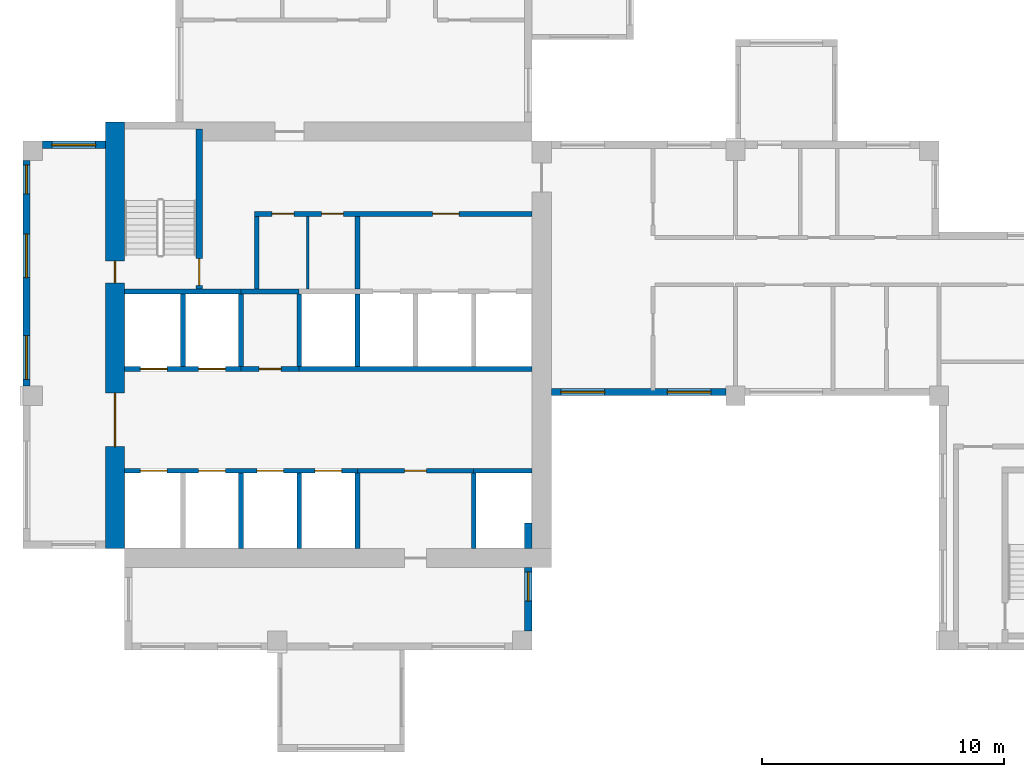
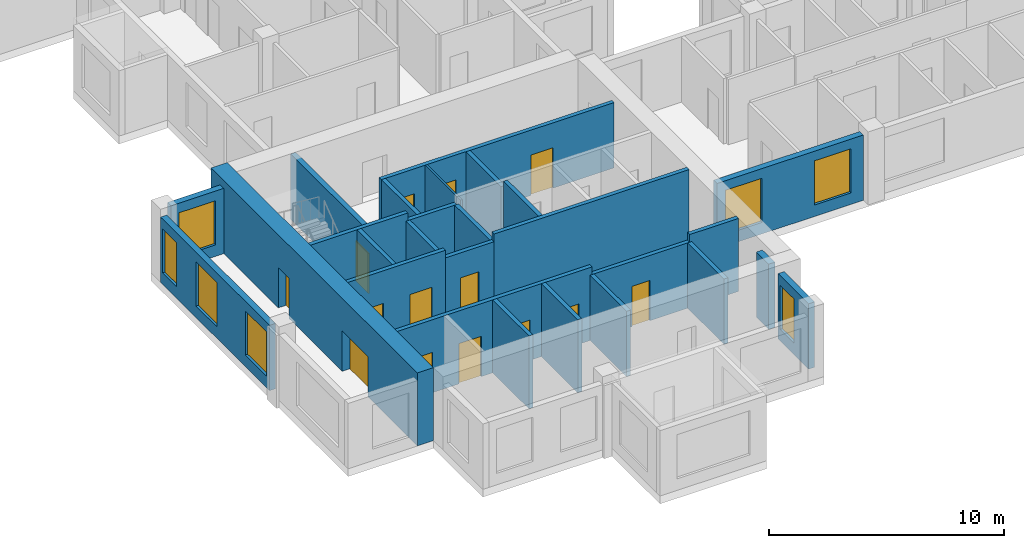
# One storey, part 2 of 11: 27 walls, 14 doors, 7 windows, 21 openings.
"""IFC4 building model written with IfcOpenShell, lengths in metres."""

from ifc_helpers import new_model, si_unit, direction, frame, frame_2d, origin, place, context, subcontext, project, spatial, rectangle, extrude, source, transform, mapped, material, layer, layer_set, type_object, element, fill, save


model = new_model("IFC4")

# Units and contexts
model_context = context("Model", 3, precision=1e-05, world=origin(), true_north=direction((0.0, 1.0)))
body_context = subcontext(model_context, "Body", "Model", "MODEL_VIEW")
ifc_project = project(units=[si_unit("LENGTHUNIT", "METRE"), si_unit("AREAUNIT", "SQUARE_METRE"), si_unit("VOLUMEUNIT", "CUBIC_METRE"), si_unit("PLANEANGLEUNIT", "RADIAN"), si_unit("MASSUNIT", "GRAM", prefix="KILO")], contexts=[model_context])

# Site, building, storey
site_placement = place(None, origin())
site = spatial("IfcSite", under=ifc_project, at=site_placement, CompositionType="ELEMENT")
building_placement = place(site_placement, origin())
building = spatial("IfcBuilding", under=site, at=building_placement, Name="Aurelian Terraces", CompositionType="ELEMENT")
storey_placement = place(building_placement, frame((0.0, 0.0, 257.6)))
storey = spatial("IfcBuildingStorey", under=building, at=storey_placement, Name="L59", CompositionType="ELEMENT", Elevation=257.6)

# Wall, openings, doors
ifc_material_1 = material(Name="Concrete fc' 70 MPa", Category="concrete")
ifc_layer_1 = layer(ifc_material_1, 0.8)
ifc_layer_set_1 = layer_set([ifc_layer_1], Name="CORE WALL 800 FC70")
wall_type_1 = type_object("IfcWallType", Name="CORE WALL 800 FC70", PredefinedType="SHEAR", material=ifc_layer_set_1)
shared_shape_1 = source(origin(), body_context, "Body", "SweptSolid", [
    extrude(rectangle(XDim=17.6, YDim=0.8, at=frame_2d((8.8, 0.0))), origin(), (0.0, 0.0, 1.0), 3.8),
])
wall_1_placement = place(storey_placement, frame((3.8, 4.2, 0.0), z_axis=(0.0, 0.0, 1.0), x_axis=(0.0, 1.0, 0.0)))
wall_1 = element("IfcWall", 1, at=wall_1_placement, inside=storey, type_object=wall_type_1, Name="Core wall W L59", PredefinedType="SHEAR", context=body_context, shape_type="MappedRepresentation", body=[
    mapped(shared_shape_1, transform((0.0, 0.0, 0.0), scale=1.0)),
])
shared_shape_2 = source(origin(), body_context, "Body", "SweptSolid", [
    extrude(rectangle(XDim=2.2, YDim=2.1, at=frame_2d((1.1, 1.05))), frame((0.0, 0.41, 0.0), z_axis=(0.0, -1.0, 0.0), x_axis=(1.0, 0.0, 0.0)), (0.0, 0.0, 1.0), 0.82),
])
opening_1_placement = place(wall_1_placement, frame((4.2, 0.0, 0.0)))
opening_1 = element("IfcOpeningElement", 2, at=opening_1_placement, cuts=wall_1, Name="Opening 66221", PredefinedType="OPENING", context=body_context, shape_type="MappedRepresentation", body=[
    mapped(shared_shape_2, transform((0.0, 0.0, 0.0), scale=1.0)),
])
shared_shape_3 = source(origin(), body_context, "Body", "SweptSolid", [
    extrude(rectangle(XDim=0.9, YDim=2.1, at=frame_2d((0.45, 1.05))), frame((0.0, 0.41, 0.0), z_axis=(0.0, -1.0, 0.0), x_axis=(1.0, 0.0, 0.0)), (0.0, 0.0, 1.0), 0.82),
])
opening_2_placement = place(wall_1_placement, frame((10.95, 0.0, 0.0)))
opening_2 = element("IfcOpeningElement", 3, at=opening_2_placement, cuts=wall_1, Name="Opening 66225", PredefinedType="OPENING", context=body_context, shape_type="MappedRepresentation", body=[
    mapped(shared_shape_3, transform((0.0, 0.0, 0.0), scale=1.0)),
])
ifc_material_2 = material(Name="Steel door leaf", Category="steel")
door_type_1 = type_object("IfcDoorType", Name="Core service door 900x2100", OperationType="SINGLE_SWING_LEFT", PredefinedType="DOOR", material=ifc_material_2)
shared_shape_4 = source(origin(), body_context, "Body", "SweptSolid", [
    extrude(rectangle(XDim=0.9, YDim=2.1, at=frame_2d((0.45, 1.05))), frame((0.0, 0.025, 0.0), z_axis=(0.0, -1.0, 0.0), x_axis=(1.0, 0.0, 0.0)), (0.0, 0.0, 1.0), 0.05),
])
door_1_placement = place(opening_2_placement, origin())
door_1 = element("IfcDoor", 4, at=door_1_placement, inside=storey, type_object=door_type_1, Name="Core door 66225", OperationType="SINGLE_SWING_LEFT", OverallHeight=2.1, OverallWidth=0.9, PredefinedType="DOOR", context=body_context, shape_type="MappedRepresentation", body=[
    mapped(shared_shape_4, transform((0.0, 0.0, 0.0), scale=1.0)),
])
fill(opening_2, door_1)
door_type_2 = type_object("IfcDoorType", Name="Core double door 2200x2100", OperationType="DOUBLE_DOOR_SINGLE_SWING", PredefinedType="DOOR", material=ifc_material_2)
shared_shape_5 = source(origin(), body_context, "Body", "SweptSolid", [
    extrude(rectangle(XDim=2.2, YDim=2.1, at=frame_2d((1.1, 1.05))), frame((0.0, 0.025, 0.0), z_axis=(0.0, -1.0, 0.0), x_axis=(1.0, 0.0, 0.0)), (0.0, 0.0, 1.0), 0.05),
])
door_2_placement = place(opening_1_placement, origin())
door_2 = element("IfcDoor", 5, at=door_2_placement, inside=storey, type_object=door_type_2, Name="Core door 66221", OperationType="DOUBLE_DOOR_SINGLE_SWING", OverallHeight=2.1, OverallWidth=2.2, PredefinedType="DOOR", context=body_context, shape_type="MappedRepresentation", body=[
    mapped(shared_shape_5, transform((0.0, 0.0, 0.0), scale=1.0)),
])
fill(opening_1, door_2)

# Wall
ifc_material_3 = material(Name="Terracotta rainscreen cladding", Category="masonry")
ifc_layer_2 = layer(ifc_material_3, 0.3)
ifc_layer_set_2 = layer_set([ifc_layer_2], Name="EW-300")
wall_type_2 = type_object("IfcWallType", Name="EW-300", PredefinedType="STANDARD", material=ifc_layer_set_2)
shared_shape_6 = source(origin(), body_context, "Body", "SweptSolid", [
    extrude(rectangle(XDim=1.05, YDim=0.3, at=frame_2d((0.525, 0.0))), origin(), (0.0, 0.0, 1.0), 3.4),
])
wall_2_placement = place(storey_placement, frame((20.85, 4.2, 0.0), z_axis=(0.0, 0.0, 1.0), x_axis=(0.0, 1.0, 0.0)))
element("IfcWall", 6, at=wall_2_placement, inside=storey, type_object=wall_type_2, Name="External wall L59 F02.3", PredefinedType="STANDARD", context=body_context, shape_type="MappedRepresentation", body=[
    mapped(shared_shape_6, transform((0.0, 0.0, 0.0), scale=1.0)),
])

# Wall, openings, windows
shared_shape_7 = source(origin(), body_context, "Body", "SweptSolid", [
    extrude(rectangle(XDim=7.2, YDim=0.3, at=frame_2d((3.6, 0.0))), origin(), (0.0, 0.0, 1.0), 3.4),
])
wall_3_placement = place(storey_placement, frame((21.8, 10.65, 0.0), z_axis=(0.0, 0.0, 1.0), x_axis=(1.0, 0.0, 0.0)))
wall_3 = element("IfcWall", 7, at=wall_3_placement, inside=storey, type_object=wall_type_2, Name="External wall L59 F03.5", PredefinedType="STANDARD", context=body_context, shape_type="MappedRepresentation", body=[
    mapped(shared_shape_7, transform((0.0, 0.0, 0.0), scale=1.0)),
])
shared_shape_8 = source(origin(), body_context, "Body", "SweptSolid", [
    extrude(rectangle(XDim=1.8, YDim=2.3, at=frame_2d((0.9, 1.15))), frame((0.0, 0.16, 0.0), z_axis=(0.0, -1.0, 0.0), x_axis=(1.0, 0.0, 0.0)), (0.0, 0.0, 1.0), 0.32),
])
opening_3_placement = place(wall_3_placement, frame((0.4, 0.0, 0.6)))
opening_3 = element("IfcOpeningElement", 8, at=opening_3_placement, cuts=wall_3, Name="Opening W1823", PredefinedType="OPENING", context=body_context, shape_type="MappedRepresentation", body=[
    mapped(shared_shape_8, transform((0.0, 0.0, 0.0), scale=1.0)),
])
opening_4_placement = place(wall_3_placement, frame((4.7875, 0.0, 0.6)))
opening_4 = element("IfcOpeningElement", 9, at=opening_4_placement, cuts=wall_3, Name="Opening W1823", PredefinedType="OPENING", context=body_context, shape_type="MappedRepresentation", body=[
    mapped(shared_shape_8, transform((0.0, 0.0, 0.0), scale=1.0)),
])
ifc_material_4 = material(Name="Clear glazing", Category="glass")
window_type_1 = type_object("IfcWindowType", Name="W-1800x2300", PartitioningType="SINGLE_PANEL", PredefinedType="WINDOW", material=ifc_material_4)
shared_shape_9 = source(origin(), body_context, "Body", "SweptSolid", [
    extrude(rectangle(XDim=1.8, YDim=2.3, at=frame_2d((0.9, 1.15))), frame((0.0, 0.03, 0.0), z_axis=(0.0, -1.0, 0.0), x_axis=(1.0, 0.0, 0.0)), (0.0, 0.0, 1.0), 0.06),
])
window_1_placement = place(opening_3_placement, origin())
window_1 = element("IfcWindow", 10, at=window_1_placement, inside=storey, type_object=window_type_1, Name="Window L59 L59-F03-05-0", OverallHeight=2.3, OverallWidth=1.8, PartitioningType="SINGLE_PANEL", PredefinedType="WINDOW", context=body_context, shape_type="MappedRepresentation", body=[
    mapped(shared_shape_9, transform((0.0, 0.0, 0.0), scale=1.0)),
])
fill(opening_3, window_1)
window_2_placement = place(opening_4_placement, origin())
window_2 = element("IfcWindow", 11, at=window_2_placement, inside=storey, type_object=window_type_1, Name="Window L59 L59-F03-05-1", OverallHeight=2.3, OverallWidth=1.8, PartitioningType="SINGLE_PANEL", PredefinedType="WINDOW", context=body_context, shape_type="MappedRepresentation", body=[
    mapped(shared_shape_9, transform((0.0, 0.0, 0.0), scale=1.0)),
])
fill(opening_4, window_2)

# Wall, opening, window
shared_shape_10 = source(origin(), body_context, "Body", "SweptSolid", [
    extrude(rectangle(XDim=2.6, YDim=0.3, at=frame_2d((1.3, 0.0))), origin(), (0.0, 0.0, 1.0), 3.4),
])
wall_4_placement = place(storey_placement, frame((20.85, 0.8, 0.0), z_axis=(0.0, 0.0, 1.0), x_axis=(0.0, 1.0, 0.0)))
wall_4 = element("IfcWall", 12, at=wall_4_placement, inside=storey, type_object=wall_type_2, Name="External wall L59 F02.3", PredefinedType="STANDARD", context=body_context, shape_type="MappedRepresentation", body=[
    mapped(shared_shape_10, transform((0.0, 0.0, 0.0), scale=1.0)),
])
shared_shape_11 = source(origin(), body_context, "Body", "SweptSolid", [
    extrude(rectangle(XDim=1.2, YDim=2.3, at=frame_2d((0.6, 1.15))), frame((0.0, 0.16, 0.0), z_axis=(0.0, -1.0, 0.0), x_axis=(1.0, 0.0, 0.0)), (0.0, 0.0, 1.0), 0.32),
])
opening_5_placement = place(wall_4_placement, frame((1.225, 0.0, 0.6)))
opening_5 = element("IfcOpeningElement", 13, at=opening_5_placement, cuts=wall_4, Name="Opening W1223", PredefinedType="OPENING", context=body_context, shape_type="MappedRepresentation", body=[
    mapped(shared_shape_11, transform((0.0, 0.0, 0.0), scale=1.0)),
])
window_type_2 = type_object("IfcWindowType", Name="W-1200x2300", PartitioningType="SINGLE_PANEL", PredefinedType="WINDOW", material=ifc_material_4)
shared_shape_12 = source(origin(), body_context, "Body", "SweptSolid", [
    extrude(rectangle(XDim=1.2, YDim=2.3, at=frame_2d((0.6, 1.15))), frame((0.0, 0.03, 0.0), z_axis=(0.0, -1.0, 0.0), x_axis=(1.0, 0.0, 0.0)), (0.0, 0.0, 1.0), 0.06),
])
window_3_placement = place(opening_5_placement, origin())
window_3 = element("IfcWindow", 14, at=window_3_placement, inside=storey, type_object=window_type_2, Name="Window L59 L59-F02-03-0", OverallHeight=2.3, OverallWidth=1.2, PartitioningType="SINGLE_PANEL", PredefinedType="WINDOW", context=body_context, shape_type="MappedRepresentation", body=[
    mapped(shared_shape_12, transform((0.0, 0.0, 0.0), scale=1.0)),
])
fill(opening_5, window_3)

wall_5_placement = place(storey_placement, frame((3.4, 20.85, 0.0), z_axis=(0.0, 0.0, 1.0), x_axis=(-1.0, 0.0, 0.0)))
wall_5 = element("IfcWall", 15, at=wall_5_placement, inside=storey, type_object=wall_type_2, Name="External wall L59 F23.35", PredefinedType="STANDARD", context=body_context, shape_type="MappedRepresentation", body=[
    mapped(shared_shape_10, transform((0.0, 0.0, 0.0), scale=1.0)),
])
opening_6_placement = place(wall_5_placement, frame((0.4, 0.0, 0.6)))
opening_6 = element("IfcOpeningElement", 16, at=opening_6_placement, cuts=wall_5, Name="Opening W1823", PredefinedType="OPENING", context=body_context, shape_type="MappedRepresentation", body=[
    mapped(shared_shape_8, transform((0.0, 0.0, 0.0), scale=1.0)),
])
window_4_placement = place(opening_6_placement, origin())
window_4 = element("IfcWindow", 17, at=window_4_placement, inside=storey, type_object=window_type_1, Name="Window L59 L59-F23-35-0", OverallHeight=2.3, OverallWidth=1.8, PartitioningType="SINGLE_PANEL", PredefinedType="WINDOW", context=body_context, shape_type="MappedRepresentation", body=[
    mapped(shared_shape_9, transform((0.0, 0.0, 0.0), scale=1.0)),
])
fill(opening_6, window_4)

# Wall, openings, windows
shared_shape_13 = source(origin(), body_context, "Body", "SweptSolid", [
    extrude(rectangle(XDim=9.3, YDim=0.3, at=frame_2d((4.65, 0.0))), origin(), (0.0, 0.0, 1.0), 3.4),
])
wall_6_placement = place(storey_placement, frame((0.15, 20.2, 0.0), z_axis=(0.0, 0.0, 1.0), x_axis=(0.0, -1.0, 0.0)))
wall_6 = element("IfcWall", 18, at=wall_6_placement, inside=storey, type_object=wall_type_2, Name="External wall L59 F24.36", PredefinedType="STANDARD", context=body_context, shape_type="MappedRepresentation", body=[
    mapped(shared_shape_13, transform((0.0, 0.0, 0.0), scale=1.0)),
])
opening_7_placement = place(wall_6_placement, frame((0.175, 0.0, 0.6)))
opening_7 = element("IfcOpeningElement", 19, at=opening_7_placement, cuts=wall_6, Name="Opening W1223", PredefinedType="OPENING", context=body_context, shape_type="MappedRepresentation", body=[
    mapped(shared_shape_11, transform((0.0, 0.0, 0.0), scale=1.0)),
])
opening_8_placement = place(wall_6_placement, frame((3.025, 0.0, 0.6)))
opening_8 = element("IfcOpeningElement", 20, at=opening_8_placement, cuts=wall_6, Name="Opening W1823", PredefinedType="OPENING", context=body_context, shape_type="MappedRepresentation", body=[
    mapped(shared_shape_8, transform((0.0, 0.0, 0.0), scale=1.0)),
])
opening_9_placement = place(wall_6_placement, frame((7.225, 0.0, 0.6)))
opening_9 = element("IfcOpeningElement", 21, at=opening_9_placement, cuts=wall_6, Name="Opening W1823", PredefinedType="OPENING", context=body_context, shape_type="MappedRepresentation", body=[
    mapped(shared_shape_8, transform((0.0, 0.0, 0.0), scale=1.0)),
])
window_5_placement = place(opening_7_placement, origin())
window_5 = element("IfcWindow", 22, at=window_5_placement, inside=storey, type_object=window_type_2, Name="Window L59 L59-F24-36-0", OverallHeight=2.3, OverallWidth=1.2, PartitioningType="SINGLE_PANEL", PredefinedType="WINDOW", context=body_context, shape_type="MappedRepresentation", body=[
    mapped(shared_shape_12, transform((0.0, 0.0, 0.0), scale=1.0)),
])
fill(opening_7, window_5)
window_6_placement = place(opening_8_placement, origin())
window_6 = element("IfcWindow", 23, at=window_6_placement, inside=storey, type_object=window_type_1, Name="Window L59 L59-F24-36-1", OverallHeight=2.3, OverallWidth=1.8, PartitioningType="SINGLE_PANEL", PredefinedType="WINDOW", context=body_context, shape_type="MappedRepresentation", body=[
    mapped(shared_shape_9, transform((0.0, 0.0, 0.0), scale=1.0)),
])
fill(opening_8, window_6)
window_7_placement = place(opening_9_placement, origin())
window_7 = element("IfcWindow", 24, at=window_7_placement, inside=storey, type_object=window_type_1, Name="Window L59 L59-F24-36-2", OverallHeight=2.3, OverallWidth=1.8, PartitioningType="SINGLE_PANEL", PredefinedType="WINDOW", context=body_context, shape_type="MappedRepresentation", body=[
    mapped(shared_shape_9, transform((0.0, 0.0, 0.0), scale=1.0)),
])
fill(opening_9, window_7)

# Walls
ifc_material_5 = material(Name="Concrete fc' 40 MPa", Category="concrete")
ifc_layer_3 = layer(ifc_material_5, 0.2)
ifc_layer_set_3 = layer_set([ifc_layer_3], Name="Lift shaft wall 200")
wall_type_3 = type_object("IfcWallType", Name="Lift shaft wall 200", PredefinedType="SOLIDWALL", material=ifc_layer_set_3)
shared_shape_14 = source(origin(), body_context, "Body", "SweptSolid", [
    extrude(rectangle(XDim=3.1, YDim=0.2, at=frame_2d((1.55, 0.0))), origin(), (0.0, 0.0, 1.0), 3.8),
])
for number, where, z_axis, x_axis, name in (
    (25, (9.0, 4.2, 0.0), (0.0, 0.0, 1.0), (0.0, 1.0, 0.0), "L59 core wall CD-A2"),
    (26, (11.4, 4.2, 0.0), (0.0, 0.0, 1.0), (0.0, 1.0, 0.0), "L59 core wall CD-A3"),
):
    element("IfcWall", number, at=place(storey_placement, frame(where, z_axis=z_axis, x_axis=x_axis)), inside=storey, type_object=wall_type_3, Name=name, PredefinedType="SOLIDWALL", context=body_context, shape_type="MappedRepresentation", body=[
        mapped(shared_shape_14, transform((0.0, 0.0, 0.0), scale=1.0)),
    ])
shared_shape_15 = source(origin(), body_context, "Body", "SweptSolid", [
    extrude(rectangle(XDim=3.1, YDim=0.2, at=frame_2d((1.55, 0.0))), origin(), (0.0, 0.0, 1.0), 3.4),
])
for number, where, z_axis, x_axis, name in (
    (27, (13.8, 4.2, 0.0), (0.0, 0.0, 1.0), (0.0, 1.0, 0.0), "L59 core wall CD-A4"),
    (28, (18.6, 4.2, 0.0), (0.0, 0.0, 1.0), (0.0, 1.0, 0.0), "L59 core wall CD-A6"),
):
    element("IfcWall", number, at=place(storey_placement, frame(where, z_axis=z_axis, x_axis=x_axis)), inside=storey, type_object=wall_type_3, Name=name, PredefinedType="SOLIDWALL", context=body_context, shape_type="MappedRepresentation", body=[
        mapped(shared_shape_15, transform((0.0, 0.0, 0.0), scale=1.0)),
    ])
shared_shape_16 = source(origin(), body_context, "Body", "SweptSolid", [
    extrude(rectangle(XDim=3.0, YDim=0.2, at=frame_2d((1.5, 0.0))), origin(), (0.0, 0.0, 1.0), 3.4),
])
for number, where, z_axis, x_axis, name in (
    (29, (9.0, 11.7, 0.0), (0.0, 0.0, 1.0), (0.0, 1.0, 0.0), "L59 core wall CD-B2"),
    (30, (11.4, 11.7, 0.0), (0.0, 0.0, 1.0), (0.0, 1.0, 0.0), "L59 core wall CD-B3"),
):
    element("IfcWall", number, at=place(storey_placement, frame(where, z_axis=z_axis, x_axis=x_axis)), inside=storey, type_object=wall_type_3, Name=name, PredefinedType="SOLIDWALL", context=body_context, shape_type="MappedRepresentation", body=[
        mapped(shared_shape_16, transform((0.0, 0.0, 0.0), scale=1.0)),
    ])
shared_shape_17 = source(origin(), body_context, "Body", "SweptSolid", [
    extrude(rectangle(XDim=3.0, YDim=0.2, at=frame_2d((1.5, 0.0))), origin(), (0.0, 0.0, 1.0), 3.8),
])
for number, where, z_axis, x_axis, name in (
    (31, (6.6, 11.7, 0.0), (0.0, 0.0, 1.0), (0.0, 1.0, 0.0), "L59 core wall CD-B1"),
    (32, (13.8, 11.7, 0.0), (0.0, 0.0, 1.0), (0.0, 1.0, 0.0), "L59 core wall CD-B4"),
):
    element("IfcWall", number, at=place(storey_placement, frame(where, z_axis=z_axis, x_axis=x_axis)), inside=storey, type_object=wall_type_3, Name=name, PredefinedType="SOLIDWALL", context=body_context, shape_type="MappedRepresentation", body=[
        mapped(shared_shape_17, transform((0.0, 0.0, 0.0), scale=1.0)),
    ])

# Wall, openings, doors
shared_shape_18 = source(origin(), body_context, "Body", "SweptSolid", [
    extrude(rectangle(XDim=9.6, YDim=0.2, at=frame_2d((4.8, 0.0))), origin(), (0.0, 0.0, 1.0), 3.8),
])
wall_7_placement = place(storey_placement, frame((4.2, 7.4, 0.0), z_axis=(0.0, 0.0, 1.0), x_axis=(1.0, 0.0, 0.0)))
wall_7 = element("IfcWall", 33, at=wall_7_placement, inside=storey, type_object=wall_type_3, Name="L59 core wall CF-AF1", PredefinedType="SOLIDWALL", context=body_context, shape_type="MappedRepresentation", body=[
    mapped(shared_shape_18, transform((0.0, 0.0, 0.0), scale=1.0)),
])
shared_shape_19 = source(origin(), body_context, "Body", "SweptSolid", [
    extrude(rectangle(XDim=1.1, YDim=2.1, at=frame_2d((0.55, 1.05))), frame((0.0, 0.11, 0.0), z_axis=(0.0, -1.0, 0.0), x_axis=(1.0, 0.0, 0.0)), (0.0, 0.0, 1.0), 0.22),
])
opening_10_placement = place(wall_7_placement, frame((0.65, 0.0, 0.0)))
opening_10 = element("IfcOpeningElement", 34, at=opening_10_placement, cuts=wall_7, Name="Opening 66200", PredefinedType="OPENING", context=body_context, shape_type="MappedRepresentation", body=[
    mapped(shared_shape_19, transform((0.0, 0.0, 0.0), scale=1.0)),
])
opening_11_placement = place(wall_7_placement, frame((3.05, 0.0, 0.0)))
opening_11 = element("IfcOpeningElement", 35, at=opening_11_placement, cuts=wall_7, Name="Opening 66201", PredefinedType="OPENING", context=body_context, shape_type="MappedRepresentation", body=[
    mapped(shared_shape_19, transform((0.0, 0.0, 0.0), scale=1.0)),
])
opening_12_placement = place(wall_7_placement, frame((5.45, 0.0, 0.0)))
opening_12 = element("IfcOpeningElement", 36, at=opening_12_placement, cuts=wall_7, Name="Opening 66202", PredefinedType="OPENING", context=body_context, shape_type="MappedRepresentation", body=[
    mapped(shared_shape_19, transform((0.0, 0.0, 0.0), scale=1.0)),
])
opening_13_placement = place(wall_7_placement, frame((7.85, 0.0, 0.0)))
opening_13 = element("IfcOpeningElement", 37, at=opening_13_placement, cuts=wall_7, Name="Opening 66203", PredefinedType="OPENING", context=body_context, shape_type="MappedRepresentation", body=[
    mapped(shared_shape_19, transform((0.0, 0.0, 0.0), scale=1.0)),
])
ifc_material_6 = material(Name="Stainless steel", Category="steel")
door_type_3 = type_object("IfcDoorType", Name="Lift landing door 1100x2100", OperationType="SLIDING_TO_LEFT", PredefinedType="DOOR", material=ifc_material_6)
shared_shape_20 = source(origin(), body_context, "Body", "SweptSolid", [
    extrude(rectangle(XDim=1.1, YDim=2.1, at=frame_2d((0.55, 1.05))), frame((0.0, 0.025, 0.0), z_axis=(0.0, -1.0, 0.0), x_axis=(1.0, 0.0, 0.0)), (0.0, 0.0, 1.0), 0.05),
])
door_3_placement = place(opening_10_placement, origin())
door_3 = element("IfcDoor", 38, at=door_3_placement, inside=storey, type_object=door_type_3, Name="Lift landing door LM1 L59", OperationType="SLIDING_TO_LEFT", OverallHeight=2.1, OverallWidth=1.1, PredefinedType="DOOR", context=body_context, shape_type="MappedRepresentation", body=[
    mapped(shared_shape_20, transform((0.0, 0.0, 0.0), scale=1.0)),
])
fill(opening_10, door_3)
door_4_placement = place(opening_11_placement, origin())
door_4 = element("IfcDoor", 39, at=door_4_placement, inside=storey, type_object=door_type_3, Name="Lift landing door LM2 L59", OperationType="SLIDING_TO_LEFT", OverallHeight=2.1, OverallWidth=1.1, PredefinedType="DOOR", context=body_context, shape_type="MappedRepresentation", body=[
    mapped(shared_shape_20, transform((0.0, 0.0, 0.0), scale=1.0)),
])
fill(opening_11, door_4)
door_5_placement = place(opening_12_placement, origin())
door_5 = element("IfcDoor", 40, at=door_5_placement, inside=storey, type_object=door_type_3, Name="Lift landing door LM3 L59", OperationType="SLIDING_TO_LEFT", OverallHeight=2.1, OverallWidth=1.1, PredefinedType="DOOR", context=body_context, shape_type="MappedRepresentation", body=[
    mapped(shared_shape_20, transform((0.0, 0.0, 0.0), scale=1.0)),
])
fill(opening_12, door_5)
door_6_placement = place(opening_13_placement, origin())
door_6 = element("IfcDoor", 41, at=door_6_placement, inside=storey, type_object=door_type_3, Name="Lift landing door LM4 L59", OperationType="SLIDING_TO_LEFT", OverallHeight=2.1, OverallWidth=1.1, PredefinedType="DOOR", context=body_context, shape_type="MappedRepresentation", body=[
    mapped(shared_shape_20, transform((0.0, 0.0, 0.0), scale=1.0)),
])
fill(opening_13, door_6)

# Wall
wall_8_placement = place(storey_placement, frame((11.4, 11.6, 0.0), z_axis=(0.0, 0.0, 1.0), x_axis=(1.0, 0.0, 0.0)))
element("IfcWall", 42, at=wall_8_placement, inside=storey, type_object=wall_type_3, Name="L59 core wall CF-BF3", PredefinedType="SOLIDWALL", context=body_context, shape_type="MappedRepresentation", body=[
    mapped(shared_shape_18, transform((0.0, 0.0, 0.0), scale=1.0)),
])

# Wall, openings, doors
shared_shape_21 = source(origin(), body_context, "Body", "SweptSolid", [
    extrude(rectangle(XDim=4.8, YDim=0.2, at=frame_2d((2.4, 0.0))), origin(), (0.0, 0.0, 1.0), 3.8),
])
wall_9_placement = place(storey_placement, frame((4.2, 11.6, 0.0), z_axis=(0.0, 0.0, 1.0), x_axis=(1.0, 0.0, 0.0)))
wall_9 = element("IfcWall", 43, at=wall_9_placement, inside=storey, type_object=wall_type_3, Name="L59 core wall CF-BF1", PredefinedType="SOLIDWALL", context=body_context, shape_type="MappedRepresentation", body=[
    mapped(shared_shape_21, transform((0.0, 0.0, 0.0), scale=1.0)),
])
opening_14_placement = place(wall_9_placement, frame((0.65, 0.0, 0.0)))
opening_14 = element("IfcOpeningElement", 44, at=opening_14_placement, cuts=wall_9, Name="Opening 66205", PredefinedType="OPENING", context=body_context, shape_type="MappedRepresentation", body=[
    mapped(shared_shape_19, transform((0.0, 0.0, 0.0), scale=1.0)),
])
opening_15_placement = place(wall_9_placement, frame((3.05, 0.0, 0.0)))
opening_15 = element("IfcOpeningElement", 45, at=opening_15_placement, cuts=wall_9, Name="Opening 66206", PredefinedType="OPENING", context=body_context, shape_type="MappedRepresentation", body=[
    mapped(shared_shape_19, transform((0.0, 0.0, 0.0), scale=1.0)),
])
door_7_placement = place(opening_14_placement, origin())
door_7 = element("IfcDoor", 46, at=door_7_placement, inside=storey, type_object=door_type_3, Name="Lift landing door LM5 L59", OperationType="SLIDING_TO_LEFT", OverallHeight=2.1, OverallWidth=1.1, PredefinedType="DOOR", context=body_context, shape_type="MappedRepresentation", body=[
    mapped(shared_shape_20, transform((0.0, 0.0, 0.0), scale=1.0)),
])
fill(opening_14, door_7)
door_8_placement = place(opening_15_placement, origin())
door_8 = element("IfcDoor", 47, at=door_8_placement, inside=storey, type_object=door_type_3, Name="Lift landing door LM6 L59", OperationType="SLIDING_TO_LEFT", OverallHeight=2.1, OverallWidth=1.1, PredefinedType="DOOR", context=body_context, shape_type="MappedRepresentation", body=[
    mapped(shared_shape_20, transform((0.0, 0.0, 0.0), scale=1.0)),
])
fill(opening_15, door_8)

# Wall
wall_10_placement = place(storey_placement, frame((4.2, 14.8, 0.0), z_axis=(0.0, 0.0, 1.0), x_axis=(1.0, 0.0, 0.0)))
element("IfcWall", 48, at=wall_10_placement, inside=storey, type_object=wall_type_3, Name="L59 core wall CF-BB1", PredefinedType="SOLIDWALL", context=body_context, shape_type="MappedRepresentation", body=[
    mapped(shared_shape_21, transform((0.0, 0.0, 0.0), scale=1.0)),
])

# Wall, opening, door
shared_shape_22 = source(origin(), body_context, "Body", "SweptSolid", [
    extrude(rectangle(XDim=2.4, YDim=0.2, at=frame_2d((1.2, 0.0))), origin(), (0.0, 0.0, 1.0), 3.4),
])
wall_11_placement = place(storey_placement, frame((9.0, 11.6, 0.0), z_axis=(0.0, 0.0, 1.0), x_axis=(1.0, 0.0, 0.0)))
wall_11 = element("IfcWall", 49, at=wall_11_placement, inside=storey, type_object=wall_type_3, Name="L59 core wall CF-BF2", PredefinedType="SOLIDWALL", context=body_context, shape_type="MappedRepresentation", body=[
    mapped(shared_shape_22, transform((0.0, 0.0, 0.0), scale=1.0)),
])
shared_shape_23 = source(origin(), body_context, "Body", "SweptSolid", [
    extrude(rectangle(XDim=0.9, YDim=2.1, at=frame_2d((0.45, 1.05))), frame((0.0, 0.11, 0.0), z_axis=(0.0, -1.0, 0.0), x_axis=(1.0, 0.0, 0.0)), (0.0, 0.0, 1.0), 0.22),
])
opening_16_placement = place(wall_11_placement, frame((0.75, 0.0, 0.0)))
opening_16 = element("IfcOpeningElement", 50, at=opening_16_placement, cuts=wall_11, Name="Opening 66207", PredefinedType="OPENING", context=body_context, shape_type="MappedRepresentation", body=[
    mapped(shared_shape_23, transform((0.0, 0.0, 0.0), scale=1.0)),
])
door_type_4 = type_object("IfcDoorType", Name="Core service door 900x2100 right", OperationType="SINGLE_SWING_RIGHT", PredefinedType="DOOR", material=ifc_material_2)
door_9_placement = place(opening_16_placement, origin())
door_9 = element("IfcDoor", 51, at=door_9_placement, inside=storey, type_object=door_type_4, Name="Room door 66207", OperationType="SINGLE_SWING_RIGHT", OverallHeight=2.1, OverallWidth=0.9, PredefinedType="DOOR", context=body_context, shape_type="MappedRepresentation", body=[
    mapped(shared_shape_4, transform((0.0, 0.0, 0.0), scale=1.0)),
])
fill(opening_16, door_9)

# Walls
wall_12_placement = place(storey_placement, frame((9.0, 14.8, 0.0), z_axis=(0.0, 0.0, 1.0), x_axis=(1.0, 0.0, 0.0)))
element("IfcWall", 52, at=wall_12_placement, inside=storey, type_object=wall_type_3, Name="L59 core wall CF-BB2", PredefinedType="SOLIDWALL", context=body_context, shape_type="MappedRepresentation", body=[
    mapped(shared_shape_22, transform((0.0, 0.0, 0.0), scale=1.0)),
])
ifc_material_7 = material(Name="Gypsum board on steel studs", Category="steel")
ifc_layer_4 = layer(ifc_material_7, 0.2)
ifc_layer_set_4 = layer_set([ifc_layer_4], Name="Core partition 200")
wall_type_4 = type_object("IfcWallType", Name="Core partition 200", PredefinedType="PARTITIONING", material=ifc_layer_set_4)
shared_shape_24 = source(origin(), body_context, "Body", "SweptSolid", [
    extrude(rectangle(XDim=3.0, YDim=0.2, at=frame_2d((1.5, 0.0))), origin(), (0.0, 0.0, 1.0), 3.4),
])
for number, where, z_axis, x_axis, name in (
    (53, (9.65, 14.9, 0.0), (0.0, 0.0, 1.0), (0.0, 1.0, 0.0), "L59 core wall CP-VEST"),
    (54, (13.8, 14.9, 0.0), (0.0, 0.0, 1.0), (0.0, 1.0, 0.0), "L59 core wall CP-FFL"),
):
    element("IfcWall", number, at=place(storey_placement, frame(where, z_axis=z_axis, x_axis=x_axis)), inside=storey, type_object=wall_type_4, Name=name, PredefinedType="PARTITIONING", context=body_context, shape_type="MappedRepresentation", body=[
        mapped(shared_shape_24, transform((0.0, 0.0, 0.0), scale=1.0)),
    ])
ifc_layer_5 = layer(ifc_material_7, 0.1)
ifc_layer_set_5 = layer_set([ifc_layer_5], Name="Core partition 100")
wall_type_5 = type_object("IfcWallType", Name="Core partition 100", PredefinedType="PARTITIONING", material=ifc_layer_set_5)
shared_shape_25 = source(origin(), body_context, "Body", "SweptSolid", [
    extrude(rectangle(XDim=3.0, YDim=0.1, at=frame_2d((1.5, 0.0))), origin(), (0.0, 0.0, 1.0), 3.4),
])
wall_13_placement = place(storey_placement, frame((11.75, 14.9, 0.0), z_axis=(0.0, 0.0, 1.0), x_axis=(0.0, 1.0, 0.0)))
element("IfcWall", 55, at=wall_13_placement, inside=storey, type_object=wall_type_5, Name="L59 core wall CP-SV1", PredefinedType="PARTITIONING", context=body_context, shape_type="MappedRepresentation", body=[
    mapped(shared_shape_25, transform((0.0, 0.0, 0.0), scale=1.0)),
])

# Wall, opening, door
shared_shape_26 = source(origin(), body_context, "Body", "SweptSolid", [
    extrude(rectangle(XDim=4.8, YDim=0.2, at=frame_2d((2.4, 0.0))), origin(), (0.0, 0.0, 1.0), 3.4),
])
wall_14_placement = place(storey_placement, frame((13.8, 7.4, 0.0), z_axis=(0.0, 0.0, 1.0), x_axis=(1.0, 0.0, 0.0)))
wall_14 = element("IfcWall", 56, at=wall_14_placement, inside=storey, type_object=wall_type_3, Name="L59 core wall CF-AF2", PredefinedType="SOLIDWALL", context=body_context, shape_type="MappedRepresentation", body=[
    mapped(shared_shape_26, transform((0.0, 0.0, 0.0), scale=1.0)),
])
opening_17_placement = place(wall_14_placement, frame((1.95, 0.0, 0.0)))
opening_17 = element("IfcOpeningElement", 57, at=opening_17_placement, cuts=wall_14, Name="Opening 66204", PredefinedType="OPENING", context=body_context, shape_type="MappedRepresentation", body=[
    mapped(shared_shape_23, transform((0.0, 0.0, 0.0), scale=1.0)),
])
door_10_placement = place(opening_17_placement, origin())
door_10 = element("IfcDoor", 58, at=door_10_placement, inside=storey, type_object=door_type_1, Name="Room door 66204", OperationType="SINGLE_SWING_LEFT", OverallHeight=2.1, OverallWidth=0.9, PredefinedType="DOOR", context=body_context, shape_type="MappedRepresentation", body=[
    mapped(shared_shape_4, transform((0.0, 0.0, 0.0), scale=1.0)),
])
fill(opening_17, door_10)

# Wall
shared_shape_27 = source(origin(), body_context, "Body", "SweptSolid", [
    extrude(rectangle(XDim=2.4, YDim=0.2, at=frame_2d((1.2, 0.0))), origin(), (0.0, 0.0, 1.0), 3.8),
])
wall_15_placement = place(storey_placement, frame((18.6, 7.4, 0.0), z_axis=(0.0, 0.0, 1.0), x_axis=(1.0, 0.0, 0.0)))
element("IfcWall", 59, at=wall_15_placement, inside=storey, type_object=wall_type_3, Name="L59 core wall CF-AF3", PredefinedType="SOLIDWALL", context=body_context, shape_type="MappedRepresentation", body=[
    mapped(shared_shape_27, transform((0.0, 0.0, 0.0), scale=1.0)),
])

# Wall, opening, door
ifc_layer_6 = layer(ifc_material_5, 0.25)
ifc_layer_set_6 = layer_set([ifc_layer_6], Name="Stair enclosure wall 250")
wall_type_6 = type_object("IfcWallType", Name="Stair enclosure wall 250", PredefinedType="SOLIDWALL", material=ifc_layer_set_6)
shared_shape_28 = source(origin(), body_context, "Body", "SweptSolid", [
    extrude(rectangle(XDim=6.6, YDim=0.25, at=frame_2d((3.3, 0.0))), origin(), (0.0, 0.0, 1.0), 3.4),
])
wall_16_placement = place(storey_placement, frame((7.275, 14.9, 0.0), z_axis=(0.0, 0.0, 1.0), x_axis=(0.0, 1.0, 0.0)))
wall_16 = element("IfcWall", 60, at=wall_16_placement, inside=storey, type_object=wall_type_6, Name="L59 core wall ST-S1-E", PredefinedType="SOLIDWALL", context=body_context, shape_type="MappedRepresentation", body=[
    mapped(shared_shape_28, transform((0.0, 0.0, 0.0), scale=1.0)),
])
shared_shape_29 = source(origin(), body_context, "Body", "SweptSolid", [
    extrude(rectangle(XDim=1.1, YDim=2.1, at=frame_2d((0.55, 1.05))), frame((0.0, 0.135, 0.0), z_axis=(0.0, -1.0, 0.0), x_axis=(1.0, 0.0, 0.0)), (0.0, 0.0, 1.0), 0.27),
])
opening_18_placement = place(wall_16_placement, frame((0.15, 0.0, 0.0)))
opening_18 = element("IfcOpeningElement", 61, at=opening_18_placement, cuts=wall_16, Name="Opening 66211", PredefinedType="OPENING", context=body_context, shape_type="MappedRepresentation", body=[
    mapped(shared_shape_29, transform((0.0, 0.0, 0.0), scale=1.0)),
])
door_type_5 = type_object("IfcDoorType", Name="Core fire door 1100x2100 right", OperationType="SINGLE_SWING_RIGHT", PredefinedType="DOOR", material=ifc_material_2)
door_11_placement = place(opening_18_placement, origin())
door_11 = element("IfcDoor", 62, at=door_11_placement, inside=storey, type_object=door_type_5, Name="Stair door 66211", OperationType="SINGLE_SWING_RIGHT", OverallHeight=2.1, OverallWidth=1.1, PredefinedType="DOOR", context=body_context, shape_type="MappedRepresentation", body=[
    mapped(shared_shape_20, transform((0.0, 0.0, 0.0), scale=1.0)),
])
fill(opening_18, door_11)

# Wall, openings, doors
shared_shape_30 = source(origin(), body_context, "Body", "SweptSolid", [
    extrude(rectangle(XDim=11.45, YDim=0.2, at=frame_2d((5.725, 0.0))), origin(), (0.0, 0.0, 1.0), 3.4),
])
wall_17_placement = place(storey_placement, frame((9.55, 18.0, 0.0), z_axis=(0.0, 0.0, 1.0), x_axis=(1.0, 0.0, 0.0)))
wall_17 = element("IfcWall", 63, at=wall_17_placement, inside=storey, type_object=wall_type_4, Name="L59 core wall CP-NORTH", PredefinedType="PARTITIONING", context=body_context, shape_type="MappedRepresentation", body=[
    mapped(shared_shape_30, transform((0.0, 0.0, 0.0), scale=1.0)),
])
opening_19_placement = place(wall_17_placement, frame((0.725, 0.0, 0.0)))
opening_19 = element("IfcOpeningElement", 64, at=opening_19_placement, cuts=wall_17, Name="Opening 66212", PredefinedType="OPENING", context=body_context, shape_type="MappedRepresentation", body=[
    mapped(shared_shape_23, transform((0.0, 0.0, 0.0), scale=1.0)),
])
opening_20_placement = place(wall_17_placement, frame((2.775, 0.0, 0.0)))
opening_20 = element("IfcOpeningElement", 65, at=opening_20_placement, cuts=wall_17, Name="Opening 66213", PredefinedType="OPENING", context=body_context, shape_type="MappedRepresentation", body=[
    mapped(shared_shape_23, transform((0.0, 0.0, 0.0), scale=1.0)),
])
opening_21_placement = place(wall_17_placement, frame((7.35, 0.0, 0.0)))
opening_21 = element("IfcOpeningElement", 66, at=opening_21_placement, cuts=wall_17, Name="Opening 66214", PredefinedType="OPENING", context=body_context, shape_type="MappedRepresentation", body=[
    mapped(shared_shape_19, transform((0.0, 0.0, 0.0), scale=1.0)),
])
door_12_placement = place(opening_19_placement, origin())
door_12 = element("IfcDoor", 67, at=door_12_placement, inside=storey, type_object=door_type_1, Name="Room door 66212", OperationType="SINGLE_SWING_LEFT", OverallHeight=2.1, OverallWidth=0.9, PredefinedType="DOOR", context=body_context, shape_type="MappedRepresentation", body=[
    mapped(shared_shape_4, transform((0.0, 0.0, 0.0), scale=1.0)),
])
fill(opening_19, door_12)
door_13_placement = place(opening_20_placement, origin())
door_13 = element("IfcDoor", 68, at=door_13_placement, inside=storey, type_object=door_type_4, Name="Room door 66213", OperationType="SINGLE_SWING_RIGHT", OverallHeight=2.1, OverallWidth=0.9, PredefinedType="DOOR", context=body_context, shape_type="MappedRepresentation", body=[
    mapped(shared_shape_4, transform((0.0, 0.0, 0.0), scale=1.0)),
])
fill(opening_20, door_13)
door_type_6 = type_object("IfcDoorType", Name="Core fire door 1100x2100", OperationType="SINGLE_SWING_LEFT", PredefinedType="DOOR", material=ifc_material_2)
door_14_placement = place(opening_21_placement, origin())
door_14 = element("IfcDoor", 69, at=door_14_placement, inside=storey, type_object=door_type_6, Name="Ff lobby door 66214", OperationType="SINGLE_SWING_LEFT", OverallHeight=2.1, OverallWidth=1.1, PredefinedType="DOOR", context=body_context, shape_type="MappedRepresentation", body=[
    mapped(shared_shape_20, transform((0.0, 0.0, 0.0), scale=1.0)),
])
fill(opening_21, door_14)

save(model, "model.ifc")
